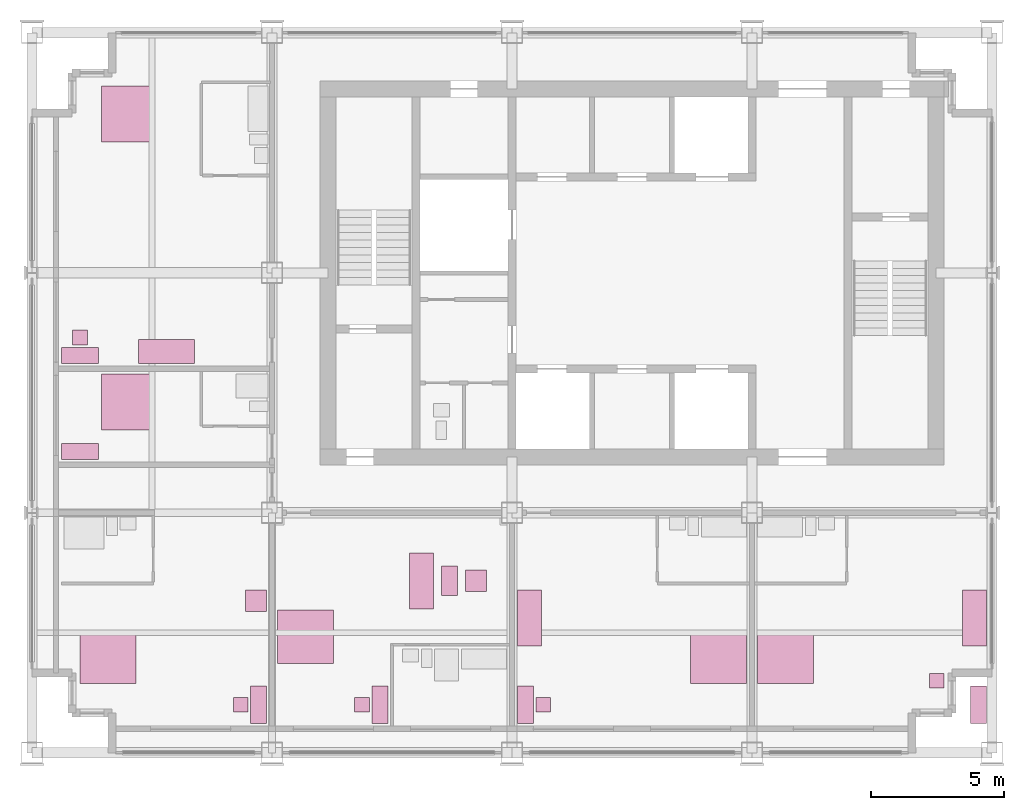
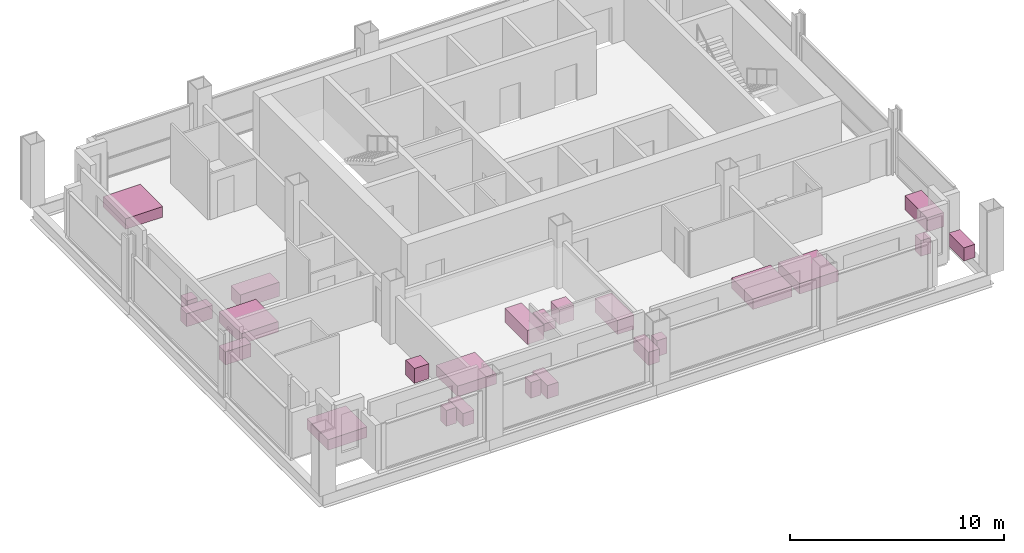
# One storey, part 11 of 11: 24 furniture elements.
"""IFC4 building model written with IfcOpenShell, lengths in metres."""

from ifc_helpers import new_model, si_unit, direction, frame, origin, origin_2d, place, context, subcontext, project, spatial, rectangle, extrude, element, save


model = new_model("IFC4")

# Units and contexts
model_context = context("Model", 3, precision=1e-05, world=origin(), true_north=direction((0.0, 1.0)))
body_context = subcontext(model_context, "Body", "Model", "MODEL_VIEW")
ifc_project = project(units=[si_unit("LENGTHUNIT", "METRE"), si_unit("AREAUNIT", "SQUARE_METRE"), si_unit("VOLUMEUNIT", "CUBIC_METRE"), si_unit("PLANEANGLEUNIT", "RADIAN"), si_unit("MASSUNIT", "GRAM", prefix="KILO")], contexts=[model_context])

# Site, building, storey
site_placement = place(None, origin())
site = spatial("IfcSite", under=ifc_project, at=site_placement, CompositionType="ELEMENT")
building_placement = place(site_placement, origin())
building = spatial("IfcBuilding", under=site, at=building_placement, Name="Loomwork Tower", CompositionType="ELEMENT")
storey_placement = place(building_placement, frame((0.0, 0.0, 248.199951171875)))
storey = spatial("IfcBuildingStorey", under=building, at=storey_placement, Name="L68", CompositionType="ELEMENT", Elevation=248.199951171875)

# Furniture
furniture_1_placement = place(storey_placement, frame((2.85009765625, 3.60009765625, 0.0), z_axis=(0.0, 0.0, 1.0), x_axis=(1.0, 0.0, 0.0)))
element("IfcFurniture", 1, at=furniture_1_placement, inside=storey, Name="King bed L68", PredefinedType="BED", context=body_context, shape_type="SweptSolid", body=[
    extrude(rectangle(XDim=2.10009765625, YDim=2.0, at=origin_2d()), origin(), (0.0, 0.0, 1.0), 0.60009765625),
])
furniture_2_placement = place(storey_placement, frame((8.5, 1.800048828125, 0.0), z_axis=(0.0, 0.0, 1.0), x_axis=(1.0, 0.0, 0.0)))
element("IfcFurniture", 2, at=furniture_2_placement, inside=storey, Name="Writing desk L68", PredefinedType="DESK", context=body_context, shape_type="SweptSolid", body=[
    extrude(rectangle(XDim=0.60009765625, YDim=1.39990234375, at=origin_2d()), origin(), (0.0, 0.0, 1.0), 0.75),
])
furniture_3_placement = place(storey_placement, frame((7.824951171875, 1.800048828125, 0.0), z_axis=(0.0, 0.0, 1.0), x_axis=(1.0, 0.0, 0.0)))
element("IfcFurniture", 3, at=furniture_3_placement, inside=storey, Name="Desk chair L68", PredefinedType="CHAIR", context=body_context, shape_type="SweptSolid", body=[
    extrude(rectangle(XDim=0.550048828125, YDim=0.550048828125, at=origin_2d()), origin(), (0.0, 0.0, 1.0), 0.89990234375),
])
furniture_4_placement = place(storey_placement, frame((8.39990234375, 5.699951171875, 0.0), z_axis=(0.0, 0.0, 1.0), x_axis=(1.0, 0.0, 0.0)))
element("IfcFurniture", 4, at=furniture_4_placement, inside=storey, Name="Lounge armchair L68", PredefinedType="CHAIR", context=body_context, shape_type="SweptSolid", body=[
    extrude(rectangle(XDim=0.800048828125, YDim=0.800048828125, at=origin_2d()), origin(), (0.0, 0.0, 1.0), 0.85009765625),
])
furniture_5_placement = place(storey_placement, frame((10.25, 4.35009765625, 0.0), z_axis=(0.0, 0.0, 1.0), x_axis=(1.0, 0.0, 0.0)))
element("IfcFurniture", 5, at=furniture_5_placement, inside=storey, Name="King bed L68", PredefinedType="BED", context=body_context, shape_type="SweptSolid", body=[
    extrude(rectangle(XDim=2.10009765625, YDim=2.0, at=origin_2d()), origin(), (0.0, 0.0, 1.0), 0.60009765625),
])
furniture_6_placement = place(storey_placement, frame((13.050048828125, 1.800048828125, 0.0), z_axis=(0.0, 0.0, 1.0), x_axis=(1.0, 0.0, 0.0)))
element("IfcFurniture", 6, at=furniture_6_placement, inside=storey, Name="Writing desk L68", PredefinedType="DESK", context=body_context, shape_type="SweptSolid", body=[
    extrude(rectangle(XDim=0.60009765625, YDim=1.39990234375, at=origin_2d()), origin(), (0.0, 0.0, 1.0), 0.75),
])
furniture_7_placement = place(storey_placement, frame((12.375, 1.800048828125, 0.0), z_axis=(0.0, 0.0, 1.0), x_axis=(1.0, 0.0, 0.0)))
element("IfcFurniture", 7, at=furniture_7_placement, inside=storey, Name="Desk chair L68", PredefinedType="CHAIR", context=body_context, shape_type="SweptSolid", body=[
    extrude(rectangle(XDim=0.550048828125, YDim=0.550048828125, at=origin_2d()), origin(), (0.0, 0.0, 1.0), 0.89990234375),
])
furniture_8_placement = place(storey_placement, frame((14.60009765625, 6.449951171875, 0.0), z_axis=(0.0, 0.0, 1.0), x_axis=(1.0, 0.0, 0.0)))
element("IfcFurniture", 8, at=furniture_8_placement, inside=storey, Name="Sofa L68", PredefinedType="SOFA", context=body_context, shape_type="SweptSolid", body=[
    extrude(rectangle(XDim=0.89990234375, YDim=2.10009765625, at=origin_2d()), origin(), (0.0, 0.0, 1.0), 0.800048828125),
])
furniture_9_placement = place(storey_placement, frame((15.64990234375, 6.449951171875, 0.0), z_axis=(0.0, 0.0, 1.0), x_axis=(1.0, 0.0, 0.0)))
element("IfcFurniture", 9, at=furniture_9_placement, inside=storey, Name="Coffee table L68", PredefinedType="TABLE", context=body_context, shape_type="SweptSolid", body=[
    extrude(rectangle(XDim=0.60009765625, YDim=1.10009765625, at=origin_2d()), origin(), (0.0, 0.0, 1.0), 0.449951171875),
])
furniture_10_placement = place(storey_placement, frame((16.64990234375, 6.449951171875, 0.0), z_axis=(0.0, 0.0, 1.0), x_axis=(1.0, 0.0, 0.0)))
element("IfcFurniture", 10, at=furniture_10_placement, inside=storey, Name="Lounge armchair L68", PredefinedType="CHAIR", context=body_context, shape_type="SweptSolid", body=[
    extrude(rectangle(XDim=0.800048828125, YDim=0.800048828125, at=origin_2d()), origin(), (0.0, 0.0, 1.0), 0.85009765625),
])
furniture_11_placement = place(storey_placement, frame((25.75, 3.60009765625, 0.0), z_axis=(0.0, 0.0, 1.0), x_axis=(1.0, 0.0, 0.0)))
element("IfcFurniture", 11, at=furniture_11_placement, inside=storey, Name="King bed L68", PredefinedType="BED", context=body_context, shape_type="SweptSolid", body=[
    extrude(rectangle(XDim=2.10009765625, YDim=2.0, at=origin_2d()), origin(), (0.0, 0.0, 1.0), 0.60009765625),
])
furniture_12_placement = place(storey_placement, frame((18.5, 1.800048828125, 0.0), z_axis=(0.0, 0.0, 1.0), x_axis=(1.0, 0.0, 0.0)))
element("IfcFurniture", 12, at=furniture_12_placement, inside=storey, Name="Writing desk L68", PredefinedType="DESK", context=body_context, shape_type="SweptSolid", body=[
    extrude(rectangle(XDim=0.60009765625, YDim=1.39990234375, at=origin_2d()), origin(), (0.0, 0.0, 1.0), 0.75),
])
furniture_13_placement = place(storey_placement, frame((19.175048828125, 1.800048828125, 0.0), z_axis=(0.0, 0.0, 1.0), x_axis=(1.0, 0.0, 0.0)))
element("IfcFurniture", 13, at=furniture_13_placement, inside=storey, Name="Desk chair L68", PredefinedType="CHAIR", context=body_context, shape_type="SweptSolid", body=[
    extrude(rectangle(XDim=0.550048828125, YDim=0.550048828125, at=origin_2d()), origin(), (0.0, 0.0, 1.0), 0.89990234375),
])
furniture_14_placement = place(storey_placement, frame((18.64990234375, 5.050048828125, 0.0), z_axis=(0.0, 0.0, 1.0), x_axis=(1.0, 0.0, 0.0)))
element("IfcFurniture", 14, at=furniture_14_placement, inside=storey, Name="Sofa L68", PredefinedType="SOFA", context=body_context, shape_type="SweptSolid", body=[
    extrude(rectangle(XDim=0.89990234375, YDim=2.10009765625, at=origin_2d()), origin(), (0.0, 0.0, 1.0), 0.800048828125),
])
furniture_15_placement = place(storey_placement, frame((28.25, 3.60009765625, 0.0), z_axis=(0.0, 0.0, 1.0), x_axis=(1.0, 0.0, 0.0)))
element("IfcFurniture", 15, at=furniture_15_placement, inside=storey, Name="King bed L68", PredefinedType="BED", context=body_context, shape_type="SweptSolid", body=[
    extrude(rectangle(XDim=2.10009765625, YDim=2.0, at=origin_2d()), origin(), (0.0, 0.0, 1.0), 0.60009765625),
])
furniture_16_placement = place(storey_placement, frame((35.5, 1.800048828125, 0.0), z_axis=(0.0, 0.0, 1.0), x_axis=(1.0, 0.0, 0.0)))
element("IfcFurniture", 16, at=furniture_16_placement, inside=storey, Name="Writing desk L68", PredefinedType="DESK", context=body_context, shape_type="SweptSolid", body=[
    extrude(rectangle(XDim=0.60009765625, YDim=1.39990234375, at=origin_2d()), origin(), (0.0, 0.0, 1.0), 0.75),
])
furniture_17_placement = place(storey_placement, frame((33.925048828125, 2.699951171875, 0.0), z_axis=(0.0, 0.0, 1.0), x_axis=(1.0, 0.0, 0.0)))
element("IfcFurniture", 17, at=furniture_17_placement, inside=storey, Name="Desk chair L68", PredefinedType="CHAIR", context=body_context, shape_type="SweptSolid", body=[
    extrude(rectangle(XDim=0.550048828125, YDim=0.550048828125, at=origin_2d()), origin(), (0.0, 0.0, 1.0), 0.89990234375),
])
furniture_18_placement = place(storey_placement, frame((35.35009765625, 5.050048828125, 0.0), z_axis=(0.0, 0.0, 1.0), x_axis=(1.0, 0.0, 0.0)))
element("IfcFurniture", 18, at=furniture_18_placement, inside=storey, Name="Sofa L68", PredefinedType="SOFA", context=body_context, shape_type="SweptSolid", body=[
    extrude(rectangle(XDim=0.89990234375, YDim=2.10009765625, at=origin_2d()), origin(), (0.0, 0.0, 1.0), 0.800048828125),
])
furniture_19_placement = place(storey_placement, frame((3.60009765625, 13.14990234375, 0.0), z_axis=(0.0, 0.0, 1.0), x_axis=(1.0, 0.0, 0.0)))
element("IfcFurniture", 19, at=furniture_19_placement, inside=storey, Name="King bed L68", PredefinedType="BED", context=body_context, shape_type="SweptSolid", body=[
    extrude(rectangle(XDim=2.0, YDim=2.10009765625, at=origin_2d()), origin(), (0.0, 0.0, 1.0), 0.60009765625),
])
furniture_20_placement = place(storey_placement, frame((1.800048828125, 11.300048828125, 0.0), z_axis=(0.0, 0.0, 1.0), x_axis=(1.0, 0.0, 0.0)))
element("IfcFurniture", 20, at=furniture_20_placement, inside=storey, Name="Writing desk L68", PredefinedType="DESK", context=body_context, shape_type="SweptSolid", body=[
    extrude(rectangle(XDim=1.39990234375, YDim=0.60009765625, at=origin_2d()), origin(), (0.0, 0.0, 1.0), 0.75),
])
furniture_21_placement = place(storey_placement, frame((3.60009765625, 23.949951171875, 0.0), z_axis=(0.0, 0.0, 1.0), x_axis=(1.0, 0.0, 0.0)))
element("IfcFurniture", 21, at=furniture_21_placement, inside=storey, Name="King bed L68", PredefinedType="BED", context=body_context, shape_type="SweptSolid", body=[
    extrude(rectangle(XDim=2.0, YDim=2.10009765625, at=origin_2d()), origin(), (0.0, 0.0, 1.0), 0.60009765625),
])
furniture_22_placement = place(storey_placement, frame((1.800048828125, 14.89990234375, 0.0), z_axis=(0.0, 0.0, 1.0), x_axis=(1.0, 0.0, 0.0)))
element("IfcFurniture", 22, at=furniture_22_placement, inside=storey, Name="Writing desk L68", PredefinedType="DESK", context=body_context, shape_type="SweptSolid", body=[
    extrude(rectangle(XDim=1.39990234375, YDim=0.60009765625, at=origin_2d()), origin(), (0.0, 0.0, 1.0), 0.75),
])
furniture_23_placement = place(storey_placement, frame((1.800048828125, 15.574951171875, 0.0), z_axis=(0.0, 0.0, 1.0), x_axis=(1.0, 0.0, 0.0)))
element("IfcFurniture", 23, at=furniture_23_placement, inside=storey, Name="Desk chair L68", PredefinedType="CHAIR", context=body_context, shape_type="SweptSolid", body=[
    extrude(rectangle(XDim=0.550048828125, YDim=0.550048828125, at=origin_2d()), origin(), (0.0, 0.0, 1.0), 0.89990234375),
])
furniture_24_placement = place(storey_placement, frame((5.050048828125, 15.050048828125, 0.0), z_axis=(0.0, 0.0, 1.0), x_axis=(1.0, 0.0, 0.0)))
element("IfcFurniture", 24, at=furniture_24_placement, inside=storey, Name="Sofa L68", PredefinedType="SOFA", context=body_context, shape_type="SweptSolid", body=[
    extrude(rectangle(XDim=2.10009765625, YDim=0.89990234375, at=origin_2d()), origin(), (0.0, 0.0, 1.0), 0.800048828125),
])

save(model, "model.ifc")
